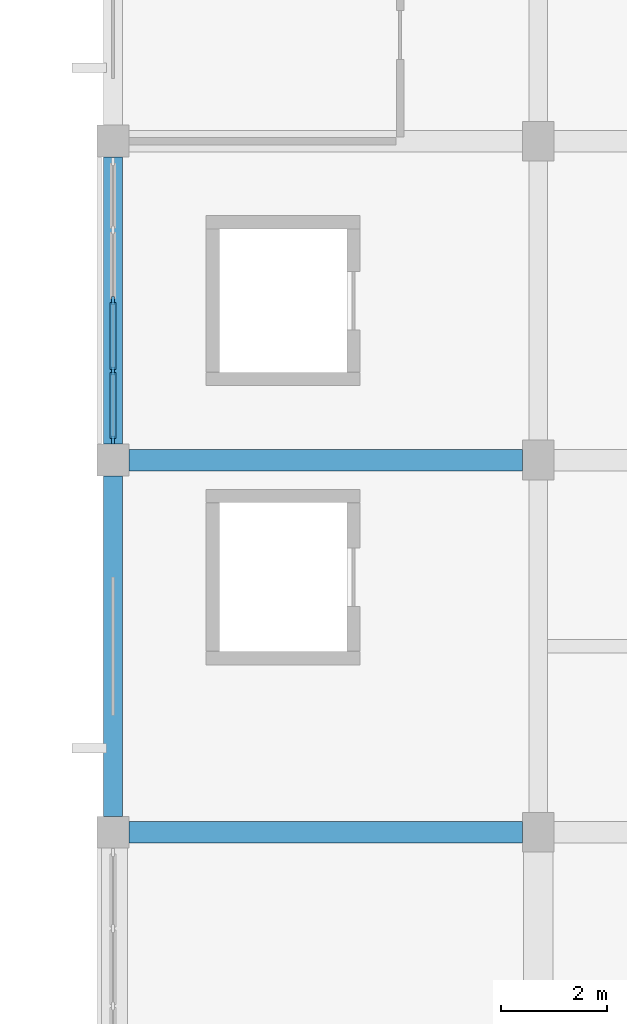
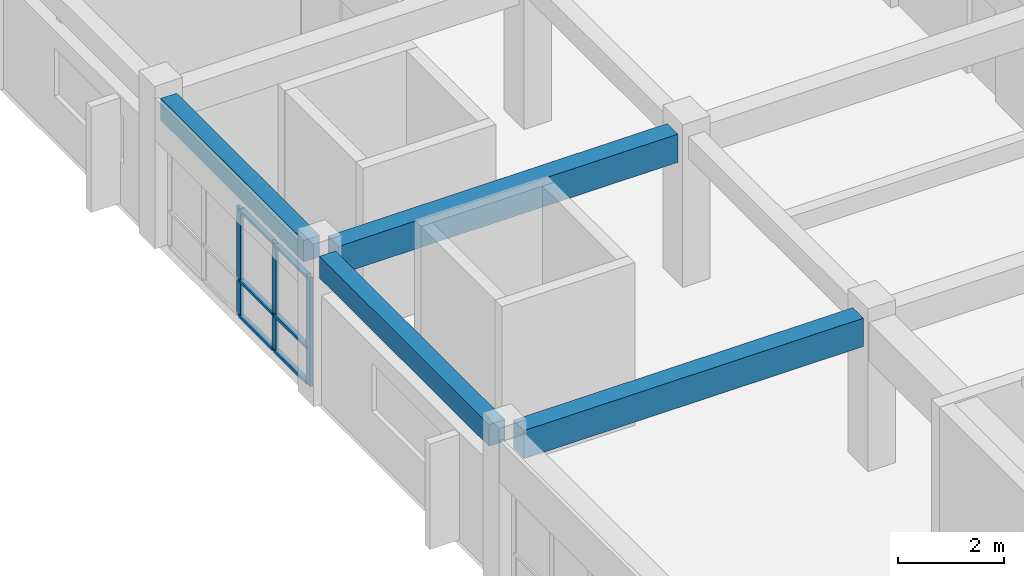
# One storey, part 7 of 33: 9 members, 4 beams, 1 element without a shape of its own.
"""IFC4 building model written with IfcOpenShell, lengths in metres."""

from ifc_helpers import new_model, si_unit, direction, frame, origin, origin_2d, place, context, subcontext, project, spatial, rectangle, extrude, material, layer, layer_set, material_profile, profile_set, type_object, element, aggregate, save


model = new_model("IFC4")

# Units and contexts
model_context = context("Model", 3, precision=1e-05, world=origin(), true_north=direction((0.0, 1.0)))
body_context = subcontext(model_context, "Body", "Model", "MODEL_VIEW")
ifc_project = project(units=[si_unit("LENGTHUNIT", "METRE"), si_unit("AREAUNIT", "SQUARE_METRE"), si_unit("VOLUMEUNIT", "CUBIC_METRE"), si_unit("PLANEANGLEUNIT", "RADIAN"), si_unit("MASSUNIT", "GRAM", prefix="KILO")], contexts=[model_context])

# Site, building, storey
site_placement = place(None, origin())
site = spatial("IfcSite", under=ifc_project, at=site_placement, CompositionType="ELEMENT")
building_placement = place(site_placement, origin())
building = spatial("IfcBuilding", under=site, at=building_placement, Name="Naurynzar Civic Courthouse", CompositionType="ELEMENT")
storey_placement = place(building_placement, frame((0.0, 0.0, 22.050048828125)))
storey = spatial("IfcBuildingStorey", under=building, at=storey_placement, Name="L06", CompositionType="ELEMENT", Elevation=22.050048828125)

# Beams
ifc_material_1 = material(Name="Concrete C40/50", Category="concrete")
ifc_material_profile_1 = material_profile(ifc_material_1, rectangle(XDim=0.35009765625, YDim=0.5, at=origin_2d()), Name="RCB 350x500")
ifc_profile_set_1 = profile_set([ifc_material_profile_1], Name="Concrete C40/50")
beam_type_1 = type_object("IfcBeamType", Name="BM-RC-350x500", PredefinedType="BEAM", material=ifc_profile_set_1)
beam_1_placement = place(storey_placement, frame((130.0, 25.300048828125, 3.179931640625), z_axis=(0.0, 1.0, 0.0), x_axis=(-1.0, 0.0, 0.0)))
element("IfcBeam", 1, at=beam_1_placement, inside=storey, type_object=beam_type_1, Name="V5 girder Y-2761 L06", PredefinedType="BEAM", context=body_context, shape_type="SweptSolid", body=[
    extrude(rectangle(XDim=0.35009765625, YDim=0.5, at=origin_2d()), origin(), (0.0, 0.0, 1.0), 6.39990234375),
])
beam_2_placement = place(storey_placement, frame((130.0, 32.300048828125, 3.179931640625), z_axis=(0.0, 1.0, 0.0), x_axis=(-1.0, 0.0, 0.0)))
element("IfcBeam", 2, at=beam_2_placement, inside=storey, type_object=beam_type_1, Name="V5 girder Y-2762 L06", PredefinedType="BEAM", context=body_context, shape_type="SweptSolid", body=[
    extrude(rectangle(XDim=0.35009765625, YDim=0.5, at=origin_2d()), origin(), (0.0, 0.0, 1.0), 5.39990234375),
])
ifc_material_2 = material(Name="Concrete C40/50", Category="concrete")
ifc_material_profile_2 = material_profile(ifc_material_2, rectangle(XDim=0.39990234375, YDim=0.64990234375, at=origin_2d()), Name="RCB 400x650")
ifc_profile_set_2 = profile_set([ifc_material_profile_2], Name="Concrete C40/50")
beam_type_2 = type_object("IfcBeamType", Name="BM-RC-400x650", PredefinedType="BEAM", material=ifc_profile_set_2)
for number, where, z_axis, x_axis, name in (
    (3, (130.300048828125, 25.0, 3.10498046875), (1.0, 0.0, 0.0), (0.0, 1.0, 0.0), "V5 beam X-2733 L06"),
    (4, (130.300048828125, 32.0, 3.10498046875), (1.0, 0.0, 0.0), (0.0, 1.0, 0.0), "V5 beam X-2737 L06"),
):
    element("IfcBeam", number, at=place(storey_placement, frame(where, z_axis=z_axis, x_axis=x_axis)), inside=storey, type_object=beam_type_2, Name=name, PredefinedType="BEAM", context=body_context, shape_type="SweptSolid", body=[
        extrude(rectangle(XDim=0.39990234375, YDim=0.64990234375, at=origin_2d()), origin(), (0.0, 0.0, 1.0), 7.39990234375),
    ])

# Curtain wall, members
ifc_material_3 = material(Name="Aluminium 6063-T6", Category="aluminium")
ifc_layer = layer(ifc_material_3, 0.179931640625)
ifc_layer_set = layer_set([ifc_layer], Name="CW-UNIT-1500")
curtain_wall_type = type_object("IfcCurtainWallType", Name="CW-UNIT-1500", PredefinedType="NOTDEFINED", material=ifc_layer_set)
curtain_wall_placement = place(storey_placement, origin())
curtain_wall = element("IfcCurtainWall", 5, at=curtain_wall_placement, inside=storey, type_object=curtain_wall_type, Name="V5 unitised curtain wall 107 L06", PredefinedType="NOTDEFINED")
ifc_material_4 = material(Name="Aluminium 6063-T6", Category="aluminium")
ifc_material_profile_3 = material_profile(ifc_material_4, rectangle(XDim=0.06005859375, YDim=0.14990234375, at=origin_2d()), Name="ALU MULLION 60x150")
ifc_profile_set_3 = profile_set([ifc_material_profile_3], Name="Aluminium 6063-T6")
member_type_1 = type_object("IfcMemberType", Name="CWM-60x150", PredefinedType="MULLION", material=ifc_profile_set_3)
member_1_placement = place(storey_placement, frame((130.0, 32.3798828125, 0.0), z_axis=(0.0, 0.0, 1.0), x_axis=(-1.0, 0.0, 0.0)))
member_1 = element("IfcMember", 6, at=member_1_placement, type_object=member_type_1, Name="CW-01 mullion 1", PredefinedType="MULLION", context=body_context, shape_type="SweptSolid", body=[
    extrude(rectangle(XDim=0.06005859375, YDim=0.14990234375, at=origin_2d()), origin(), (0.0, 0.0, 1.0), 2.510009765625),
])
member_2_placement = place(storey_placement, frame((130.0, 33.675048828125, 0.0), z_axis=(0.0, 0.0, 1.0), x_axis=(-1.0, 0.0, 0.0)))
member_2 = element("IfcMember", 7, at=member_2_placement, type_object=member_type_1, Name="CW-01 mullion 2", PredefinedType="MULLION", context=body_context, shape_type="SweptSolid", body=[
    extrude(rectangle(XDim=0.06005859375, YDim=0.14990234375, at=origin_2d()), origin(), (0.0, 0.0, 1.0), 2.510009765625),
])
member_3_placement = place(storey_placement, frame((130.0, 35.0, 0.0), z_axis=(0.0, 0.0, 1.0), x_axis=(-1.0, 0.0, 0.0)))
member_3 = element("IfcMember", 8, at=member_3_placement, type_object=member_type_1, Name="CW-01 mullion 3", PredefinedType="MULLION", context=body_context, shape_type="SweptSolid", body=[
    extrude(rectangle(XDim=0.06005859375, YDim=0.14990234375, at=origin_2d()), origin(), (0.0, 0.0, 1.0), 2.510009765625),
])
ifc_material_5 = material(Name="Aluminium 6063-T6", Category="aluminium")
ifc_material_profile_4 = material_profile(ifc_material_5, rectangle(XDim=0.110107421875, YDim=0.06005859375, at=origin_2d()), Name="ALU TRANSOM 60x110")
ifc_profile_set_4 = profile_set([ifc_material_profile_4], Name="Aluminium 6063-T6")
member_type_2 = type_object("IfcMemberType", Name="CWT-60x110", PredefinedType="USERDEFINED", material=ifc_profile_set_4)
member_4_placement = place(storey_placement, frame((130.0, 32.409912109375, 0.030029296875), z_axis=(0.0, 1.0, 0.0), x_axis=(-1.0, 0.0, 0.0)))
member_4 = element("IfcMember", 9, at=member_4_placement, type_object=member_type_2, Name="CW-01 transom 1.1", ObjectType="TRANSOM", PredefinedType="USERDEFINED", context=body_context, shape_type="SweptSolid", body=[
    extrude(rectangle(XDim=0.110107421875, YDim=0.06005859375, at=origin_2d()), origin(), (0.0, 0.0, 1.0), 1.235107421875),
])
member_5_placement = place(storey_placement, frame((130.0, 32.409912109375, 0.849853515625), z_axis=(0.0, 1.0, 0.0), x_axis=(-1.0, 0.0, 0.0)))
member_5 = element("IfcMember", 10, at=member_5_placement, type_object=member_type_2, Name="CW-01 transom 1.2", ObjectType="TRANSOM", PredefinedType="USERDEFINED", context=body_context, shape_type="SweptSolid", body=[
    extrude(rectangle(XDim=0.110107421875, YDim=0.06005859375, at=origin_2d()), origin(), (0.0, 0.0, 1.0), 1.235107421875),
])
member_6_placement = place(storey_placement, frame((130.0, 32.409912109375, 2.47998046875), z_axis=(0.0, 1.0, 0.0), x_axis=(-1.0, 0.0, 0.0)))
member_6 = element("IfcMember", 11, at=member_6_placement, type_object=member_type_2, Name="CW-01 transom 1.3", ObjectType="TRANSOM", PredefinedType="USERDEFINED", context=body_context, shape_type="SweptSolid", body=[
    extrude(rectangle(XDim=0.110107421875, YDim=0.06005859375, at=origin_2d()), origin(), (0.0, 0.0, 1.0), 1.235107421875),
])
member_7_placement = place(storey_placement, frame((130.0, 33.705078125, 0.030029296875), z_axis=(0.0, 1.0, 0.0), x_axis=(-1.0, 0.0, 0.0)))
member_7 = element("IfcMember", 12, at=member_7_placement, type_object=member_type_2, Name="CW-01 transom 2.1", ObjectType="TRANSOM", PredefinedType="USERDEFINED", context=body_context, shape_type="SweptSolid", body=[
    extrude(rectangle(XDim=0.110107421875, YDim=0.06005859375, at=origin_2d()), origin(), (0.0, 0.0, 1.0), 1.264892578125),
])
member_8_placement = place(storey_placement, frame((130.0, 33.705078125, 0.849853515625), z_axis=(0.0, 1.0, 0.0), x_axis=(-1.0, 0.0, 0.0)))
member_8 = element("IfcMember", 13, at=member_8_placement, type_object=member_type_2, Name="CW-01 transom 2.2", ObjectType="TRANSOM", PredefinedType="USERDEFINED", context=body_context, shape_type="SweptSolid", body=[
    extrude(rectangle(XDim=0.110107421875, YDim=0.06005859375, at=origin_2d()), origin(), (0.0, 0.0, 1.0), 1.264892578125),
])
member_9_placement = place(storey_placement, frame((130.0, 33.705078125, 2.47998046875), z_axis=(0.0, 1.0, 0.0), x_axis=(-1.0, 0.0, 0.0)))
member_9 = element("IfcMember", 14, at=member_9_placement, type_object=member_type_2, Name="CW-01 transom 2.3", ObjectType="TRANSOM", PredefinedType="USERDEFINED", context=body_context, shape_type="SweptSolid", body=[
    extrude(rectangle(XDim=0.110107421875, YDim=0.06005859375, at=origin_2d()), origin(), (0.0, 0.0, 1.0), 1.264892578125),
])
aggregate(curtain_wall, [member_1, member_2, member_3, member_4, member_5, member_6, member_7, member_8, member_9])

save(model, "model.ifc")
